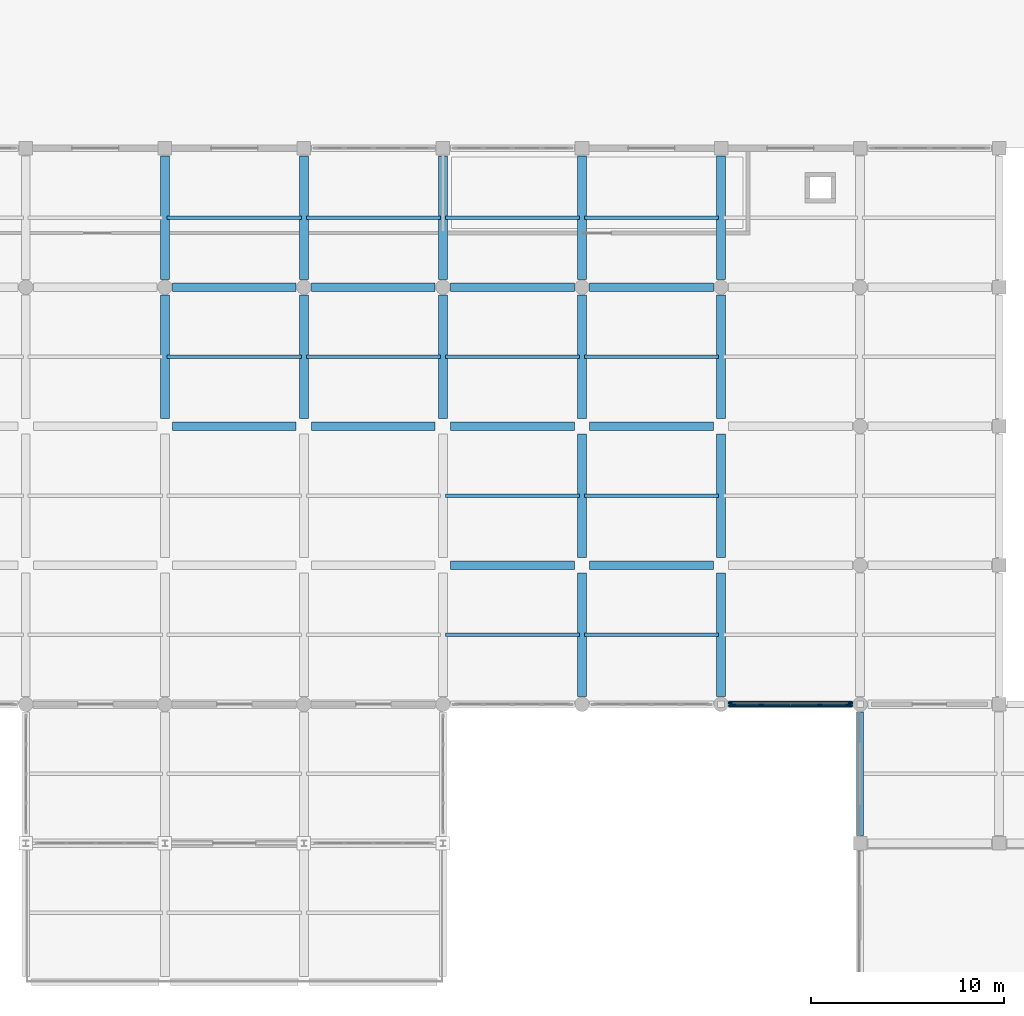
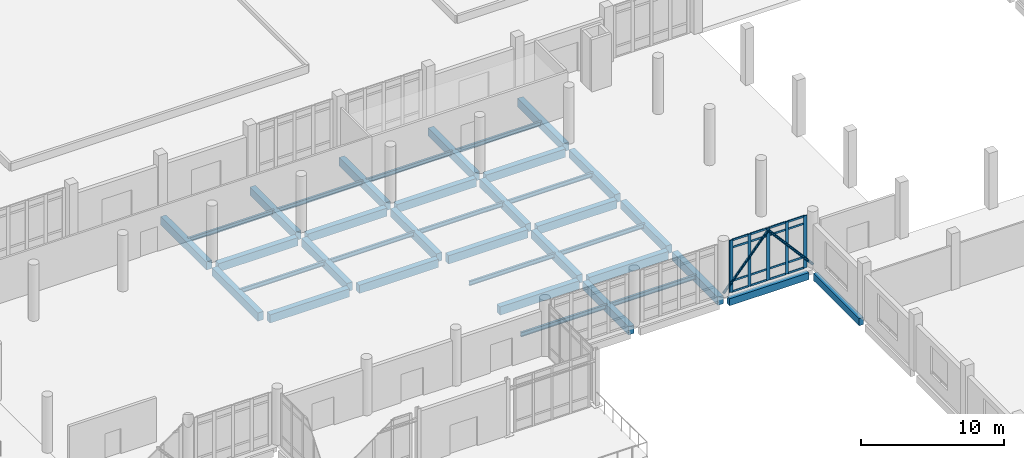
# One storey, part 18 of 59: 38 beams, 23 members, 1 element without a shape of its own.
"""IFC4 building model written with IfcOpenShell, lengths in metres."""

from ifc_helpers import new_model, si_unit, direction, frame, origin, origin_2d, place, context, subcontext, project, spatial, rectangle, hollow_circle, i_section, extrude, material, layer, layer_set, material_profile, profile_set, type_object, element, aggregate, save


model = new_model("IFC4")

# Units and contexts
model_context = context("Model", 3, precision=1e-05, world=origin(), true_north=direction((0.0, 1.0)))
body_context = subcontext(model_context, "Body", "Model", "MODEL_VIEW")
ifc_project = project(units=[si_unit("LENGTHUNIT", "METRE"), si_unit("AREAUNIT", "SQUARE_METRE"), si_unit("VOLUMEUNIT", "CUBIC_METRE"), si_unit("PLANEANGLEUNIT", "RADIAN"), si_unit("MASSUNIT", "GRAM", prefix="KILO")], contexts=[model_context])

# Site, building, storey
site_placement = place(None, origin())
site = spatial("IfcSite", under=ifc_project, at=site_placement, CompositionType="ELEMENT")
building_placement = place(site_placement, origin())
building = spatial("IfcBuilding", under=site, at=building_placement, Name="Valkovuoma Quantum and Materials Research Institute", CompositionType="ELEMENT")
storey_placement = place(building_placement, origin())
storey = spatial("IfcBuildingStorey", under=building, at=storey_placement, Name="L00", CompositionType="ELEMENT", Elevation=0.0)

# Beams
ifc_material_1 = material(Name="Steel S355J2", Category="steel")
ifc_material_profile_1 = material_profile(ifc_material_1, i_section(OverallWidth=0.169921875, OverallDepth=0.360107421875, WebThickness=0.008056640625, FlangeThickness=0.0126953125, FilletRadius=0.01806640625, at=origin_2d()), Name="Steel S355J2")
ifc_profile_set_1 = profile_set([ifc_material_profile_1], Name="Steel S355J2")
beam_type_1 = type_object("IfcBeamType", Name="Beam-B-JST360", PredefinedType="JOIST", material=ifc_profile_set_1)
for number, where, z_axis, x_axis, name in (
    (1, (79.320068359375, 39.60009765625, -0.580078125), (1.0, 0.0, 0.0), (0.0, 1.0, 0.0), "L00 floor joist 0427"),
    (2, (86.52001953125, 39.60009765625, -0.580078125), (1.0, 0.0, 0.0), (0.0, 1.0, 0.0), "L00 floor joist 0428"),
    (3, (79.320068359375, 46.800048828125, -0.580078125), (1.0, 0.0, 0.0), (0.0, 1.0, 0.0), "L00 floor joist 0444"),
    (4, (86.52001953125, 46.800048828125, -0.580078125), (1.0, 0.0, 0.0), (0.0, 1.0, 0.0), "L00 floor joist 0445"),
    (5, (64.919921875, 54.0, -0.580078125), (1.0, 0.0, 0.0), (0.0, 1.0, 0.0), "L00 floor joist 0459"),
    (6, (72.1201171875, 54.0, -0.580078125), (1.0, 0.0, 0.0), (0.0, 1.0, 0.0), "L00 floor joist 0460"),
    (7, (79.320068359375, 54.0, -0.580078125), (1.0, 0.0, 0.0), (0.0, 1.0, 0.0), "L00 floor joist 0461"),
    (8, (86.52001953125, 54.0, -0.580078125), (1.0, 0.0, 0.0), (0.0, 1.0, 0.0), "L00 floor joist 0462"),
    (9, (64.919921875, 61.199951171875, -0.580078125), (1.0, 0.0, 0.0), (0.0, 1.0, 0.0), "L00 floor joist 0478"),
    (10, (72.1201171875, 61.199951171875, -0.580078125), (1.0, 0.0, 0.0), (0.0, 1.0, 0.0), "L00 floor joist 0479"),
    (11, (79.320068359375, 61.199951171875, -0.580078125), (1.0, 0.0, 0.0), (0.0, 1.0, 0.0), "L00 floor joist 0480"),
    (12, (86.52001953125, 61.199951171875, -0.580078125), (1.0, 0.0, 0.0), (0.0, 1.0, 0.0), "L00 floor joist 0481"),
):
    element("IfcBeam", number, at=place(storey_placement, frame(where, z_axis=z_axis, x_axis=x_axis)), inside=storey, type_object=beam_type_1, Name=name, PredefinedType="JOIST", context=body_context, shape_type="SweptSolid", body=[
        extrude(i_section(OverallWidth=0.169921875, OverallDepth=0.360107421875, WebThickness=0.008056640625, FlangeThickness=0.0126953125, FilletRadius=0.01806640625, at=origin_2d()), origin(), (0.0, 0.0, 1.0), 6.9599609375),
    ])
ifc_material_2 = material(Name="Concrete C40/50", Category="concrete")
ifc_material_profile_2 = material_profile(ifc_material_2, rectangle(XDim=0.449951171875, YDim=0.699951171875, at=origin_2d()), Name="Concrete C40/50")
ifc_profile_set_2 = profile_set([ifc_material_profile_2], Name="Concrete C40/50")
beam_type_2 = type_object("IfcBeamType", Name="Beam-B-RC700", PredefinedType="BEAM", material=ifc_profile_set_2)
for number, where, z_axis, x_axis, name in (
    (13, (79.60009765625, 43.199951171875, -0.75), (1.0, 0.0, 0.0), (0.0, 1.0, 0.0), "L00 beam X-0065"),
    (14, (86.800048828125, 43.199951171875, -0.75), (1.0, 0.0, 0.0), (0.0, 1.0, 0.0), "L00 beam X-0066"),
):
    element("IfcBeam", number, at=place(storey_placement, frame(where, z_axis=z_axis, x_axis=x_axis)), inside=storey, type_object=beam_type_2, Name=name, PredefinedType="BEAM", context=body_context, shape_type="SweptSolid", body=[
        extrude(rectangle(XDim=0.449951171875, YDim=0.699951171875, at=origin_2d()), origin(), (0.0, 0.0, 1.0), 6.39990234375),
    ])
for number, where, z_axis, x_axis, name in (
    (15, (65.199951171875, 50.39990234375, -0.75), (1.0, 0.0, 0.0), (0.0, 1.0, 0.0), "L00 beam X-0081"),
    (16, (72.39990234375, 50.39990234375, -0.75), (1.0, 0.0, 0.0), (0.0, 1.0, 0.0), "L00 beam X-0082"),
):
    element("IfcBeam", number, at=place(storey_placement, frame(where, z_axis=z_axis, x_axis=x_axis)), inside=storey, type_object=beam_type_2, Name=name, PredefinedType="BEAM", context=body_context, shape_type="SweptSolid", body=[
        extrude(rectangle(XDim=0.449951171875, YDim=0.699951171875, at=origin_2d()), origin(), (0.0, 0.0, 1.0), 6.400146484375),
    ])
for number, where, z_axis, x_axis, name in (
    (17, (79.60009765625, 50.39990234375, -0.75), (1.0, 0.0, 0.0), (0.0, 1.0, 0.0), "L00 beam X-0083"),
    (18, (86.800048828125, 50.39990234375, -0.75), (1.0, 0.0, 0.0), (0.0, 1.0, 0.0), "L00 beam X-0084"),
):
    element("IfcBeam", number, at=place(storey_placement, frame(where, z_axis=z_axis, x_axis=x_axis)), inside=storey, type_object=beam_type_2, Name=name, PredefinedType="BEAM", context=body_context, shape_type="SweptSolid", body=[
        extrude(rectangle(XDim=0.449951171875, YDim=0.699951171875, at=origin_2d()), origin(), (0.0, 0.0, 1.0), 6.39990234375),
    ])
for number, where, z_axis, x_axis, name in (
    (19, (65.199951171875, 57.60009765625, -0.75), (1.0, 0.0, 0.0), (0.0, 1.0, 0.0), "L00 beam X-0101"),
    (20, (72.39990234375, 57.60009765625, -0.75), (1.0, 0.0, 0.0), (0.0, 1.0, 0.0), "L00 beam X-0102"),
):
    element("IfcBeam", number, at=place(storey_placement, frame(where, z_axis=z_axis, x_axis=x_axis)), inside=storey, type_object=beam_type_2, Name=name, PredefinedType="BEAM", context=body_context, shape_type="SweptSolid", body=[
        extrude(rectangle(XDim=0.449951171875, YDim=0.699951171875, at=origin_2d()), origin(), (0.0, 0.0, 1.0), 6.400146484375),
    ])
for number, where, z_axis, x_axis, name in (
    (21, (79.60009765625, 57.60009765625, -0.75), (1.0, 0.0, 0.0), (0.0, 1.0, 0.0), "L00 beam X-0103"),
    (22, (86.800048828125, 57.60009765625, -0.75), (1.0, 0.0, 0.0), (0.0, 1.0, 0.0), "L00 beam X-0104"),
    (23, (64.800048828125, 50.800048828125, -0.75), (0.0, 1.0, 0.0), (-1.0, 0.0, 0.0), "L00 beam Y-0272"),
    (24, (64.800048828125, 58.0, -0.75), (0.0, 1.0, 0.0), (-1.0, 0.0, 0.0), "L00 beam Y-0273"),
    (25, (72.0, 50.800048828125, -0.75), (0.0, 1.0, 0.0), (-1.0, 0.0, 0.0), "L00 beam Y-0278"),
    (26, (72.0, 58.0, -0.75), (0.0, 1.0, 0.0), (-1.0, 0.0, 0.0), "L00 beam Y-0279"),
    (27, (79.199951171875, 50.800048828125, -0.75), (0.0, 1.0, 0.0), (-1.0, 0.0, 0.0), "L00 beam Y-0284"),
    (28, (79.199951171875, 58.0, -0.75), (0.0, 1.0, 0.0), (-1.0, 0.0, 0.0), "L00 beam Y-0285"),
):
    element("IfcBeam", number, at=place(storey_placement, frame(where, z_axis=z_axis, x_axis=x_axis)), inside=storey, type_object=beam_type_2, Name=name, PredefinedType="BEAM", context=body_context, shape_type="SweptSolid", body=[
        extrude(rectangle(XDim=0.449951171875, YDim=0.699951171875, at=origin_2d()), origin(), (0.0, 0.0, 1.0), 6.39990234375),
    ])
beam_1_placement = place(storey_placement, frame((86.39990234375, 36.39990234375, -0.75), z_axis=(0.0, 1.0, 0.0), x_axis=(-1.0, 0.0, 0.0)))
element("IfcBeam", 29, at=beam_1_placement, inside=storey, type_object=beam_type_2, Name="L00 beam Y-0286", PredefinedType="BEAM", context=body_context, shape_type="SweptSolid", body=[
    extrude(rectangle(XDim=0.449951171875, YDim=0.699951171875, at=origin_2d()), origin(), (0.0, 0.0, 1.0), 6.400146484375),
])
for number, where, z_axis, x_axis, name in (
    (30, (86.39990234375, 43.60009765625, -0.75), (0.0, 1.0, 0.0), (-1.0, 0.0, 0.0), "L00 beam Y-0287"),
    (31, (86.39990234375, 50.800048828125, -0.75), (0.0, 1.0, 0.0), (-1.0, 0.0, 0.0), "L00 beam Y-0288"),
    (32, (86.39990234375, 58.0, -0.75), (0.0, 1.0, 0.0), (-1.0, 0.0, 0.0), "L00 beam Y-0289"),
):
    element("IfcBeam", number, at=place(storey_placement, frame(where, z_axis=z_axis, x_axis=x_axis)), inside=storey, type_object=beam_type_2, Name=name, PredefinedType="BEAM", context=body_context, shape_type="SweptSolid", body=[
        extrude(rectangle(XDim=0.449951171875, YDim=0.699951171875, at=origin_2d()), origin(), (0.0, 0.0, 1.0), 6.39990234375),
    ])
beam_2_placement = place(storey_placement, frame((93.60009765625, 36.39990234375, -0.75), z_axis=(0.0, 1.0, 0.0), x_axis=(-1.0, 0.0, 0.0)))
element("IfcBeam", 33, at=beam_2_placement, inside=storey, type_object=beam_type_2, Name="L00 beam Y-0290", PredefinedType="BEAM", context=body_context, shape_type="SweptSolid", body=[
    extrude(rectangle(XDim=0.449951171875, YDim=0.699951171875, at=origin_2d()), origin(), (0.0, 0.0, 1.0), 6.400146484375),
])
for number, where, z_axis, x_axis, name in (
    (34, (93.60009765625, 43.60009765625, -0.75), (0.0, 1.0, 0.0), (-1.0, 0.0, 0.0), "L00 beam Y-0291"),
    (35, (93.60009765625, 50.800048828125, -0.75), (0.0, 1.0, 0.0), (-1.0, 0.0, 0.0), "L00 beam Y-0292"),
    (36, (93.60009765625, 58.0, -0.75), (0.0, 1.0, 0.0), (-1.0, 0.0, 0.0), "L00 beam Y-0293"),
):
    element("IfcBeam", number, at=place(storey_placement, frame(where, z_axis=z_axis, x_axis=x_axis)), inside=storey, type_object=beam_type_2, Name=name, PredefinedType="BEAM", context=body_context, shape_type="SweptSolid", body=[
        extrude(rectangle(XDim=0.449951171875, YDim=0.699951171875, at=origin_2d()), origin(), (0.0, 0.0, 1.0), 6.39990234375),
    ])
ifc_material_3 = material(Name="Concrete C40/50", Category="concrete")
ifc_material_profile_3 = material_profile(ifc_material_3, rectangle(XDim=0.35009765625, YDim=0.60009765625, at=origin_2d()), Name="Concrete C40/50")
ifc_profile_set_3 = profile_set([ifc_material_profile_3], Name="Concrete C40/50")
beam_type_3 = type_object("IfcBeamType", Name="Beam-B-SPN600", PredefinedType="SPANDREL", material=ifc_profile_set_3)
beam_3_placement = place(storey_placement, frame((94.0, 36.0, -0.699951171875), z_axis=(1.0, 0.0, 0.0), x_axis=(0.0, 1.0, 0.0)))
element("IfcBeam", 37, at=beam_3_placement, inside=storey, type_object=beam_type_3, Name="L00 beam X-0044", PredefinedType="SPANDREL", context=body_context, shape_type="SweptSolid", body=[
    extrude(rectangle(XDim=0.35009765625, YDim=0.60009765625, at=origin_2d()), origin(), (0.0, 0.0, 1.0), 6.39990234375),
])
beam_4_placement = place(storey_placement, frame((100.800048828125, 29.199951171875, -0.699951171875), z_axis=(0.0, 1.0, 0.0), x_axis=(-1.0, 0.0, 0.0)))
element("IfcBeam", 38, at=beam_4_placement, inside=storey, type_object=beam_type_3, Name="L00 beam Y-0297", PredefinedType="SPANDREL", context=body_context, shape_type="SweptSolid", body=[
    extrude(rectangle(XDim=0.35009765625, YDim=0.60009765625, at=origin_2d()), origin(), (0.0, 0.0, 1.0), 6.400146484375),
])

# Curtain wall, members
ifc_material_4 = material(Name="Thermally broken aluminium and triple low-E glazing", Category="aluminium")
ifc_layer = layer(ifc_material_4, 0.219970703125)
ifc_layer_set = layer_set([ifc_layer], Name="Thermally broken aluminium and triple low-E glazing")
curtain_wall_type = type_object("IfcCurtainWallType", Name="CW-CW-02", PredefinedType="NOTDEFINED", material=ifc_layer_set)
curtain_wall_placement = place(storey_placement, origin())
curtain_wall = element("IfcCurtainWall", 39, at=curtain_wall_placement, inside=storey, type_object=curtain_wall_type, Name="L00 curtain wall 154", PredefinedType="NOTDEFINED")
ifc_material_5 = material(Name="Anodised aluminium 6060-T66", Category="aluminium")
ifc_material_profile_4 = material_profile(ifc_material_5, rectangle(XDim=0.080078125, YDim=0.260009765625, at=origin_2d()), Name="Anodised aluminium 6060-T66")
ifc_profile_set_4 = profile_set([ifc_material_profile_4], Name="Anodised aluminium 6060-T66")
member_type_1 = type_object("IfcMemberType", Name="CWMull-CWM-03", PredefinedType="MULLION", material=ifc_profile_set_4)
member_1_placement = place(storey_placement, frame((94.219970703125, 36.0, 0.0), z_axis=(0.0, 0.0, 1.0), x_axis=(0.0, 1.0, 0.0)))
member_1 = element("IfcMember", 40, at=member_1_placement, type_object=member_type_1, Name="CW-02 mullion 1", PredefinedType="MULLION", context=body_context, shape_type="SweptSolid", body=[
    extrude(rectangle(XDim=0.080078125, YDim=0.260009765625, at=origin_2d()), origin(), (0.0, 0.0, 1.0), 4.449951171875),
])
member_2_placement = place(storey_placement, frame((95.68994140625, 36.0, 0.0), z_axis=(0.0, 0.0, 1.0), x_axis=(0.0, 1.0, 0.0)))
member_2 = element("IfcMember", 41, at=member_2_placement, type_object=member_type_1, Name="CW-02 mullion 2", PredefinedType="MULLION", context=body_context, shape_type="SweptSolid", body=[
    extrude(rectangle(XDim=0.080078125, YDim=0.260009765625, at=origin_2d()), origin(), (0.0, 0.0, 1.0), 4.449951171875),
])
member_3_placement = place(storey_placement, frame((97.199951171875, 36.0, 0.0), z_axis=(0.0, 0.0, 1.0), x_axis=(0.0, 1.0, 0.0)))
member_3 = element("IfcMember", 42, at=member_3_placement, type_object=member_type_1, Name="CW-02 mullion 3", PredefinedType="MULLION", context=body_context, shape_type="SweptSolid", body=[
    extrude(rectangle(XDim=0.080078125, YDim=0.260009765625, at=origin_2d()), origin(), (0.0, 0.0, 1.0), 4.449951171875),
])
member_4_placement = place(storey_placement, frame((98.7099609375, 36.0, 0.0), z_axis=(0.0, 0.0, 1.0), x_axis=(0.0, 1.0, 0.0)))
member_4 = element("IfcMember", 43, at=member_4_placement, type_object=member_type_1, Name="CW-02 mullion 4", PredefinedType="MULLION", context=body_context, shape_type="SweptSolid", body=[
    extrude(rectangle(XDim=0.080078125, YDim=0.260009765625, at=origin_2d()), origin(), (0.0, 0.0, 1.0), 4.449951171875),
])
member_5_placement = place(storey_placement, frame((100.179931640625, 36.0, 0.0), z_axis=(0.0, 0.0, 1.0), x_axis=(0.0, 1.0, 0.0)))
member_5 = element("IfcMember", 44, at=member_5_placement, type_object=member_type_1, Name="CW-02 mullion 5", PredefinedType="MULLION", context=body_context, shape_type="SweptSolid", body=[
    extrude(rectangle(XDim=0.080078125, YDim=0.260009765625, at=origin_2d()), origin(), (0.0, 0.0, 1.0), 4.449951171875),
])
ifc_material_6 = material(Name="Anodised aluminium 6060-T66", Category="aluminium")
ifc_material_profile_5 = material_profile(ifc_material_6, rectangle(XDim=0.074951171875, YDim=0.159912109375, at=origin_2d()), Name="Anodised aluminium 6060-T66")
ifc_profile_set_5 = profile_set([ifc_material_profile_5], Name="Anodised aluminium 6060-T66")
member_type_2 = type_object("IfcMemberType", Name="CWTran-CWT-02", PredefinedType="USERDEFINED", material=ifc_profile_set_5)
member_6_placement = place(storey_placement, frame((94.260009765625, 36.0, 0.03759765625), z_axis=(1.0, 0.0, 0.0), x_axis=(0.0, 1.0, 0.0)))
member_6 = element("IfcMember", 45, at=member_6_placement, type_object=member_type_2, Name="CW-02 transom 1.1", ObjectType="TRANSOM", PredefinedType="USERDEFINED", context=body_context, shape_type="SweptSolid", body=[
    extrude(rectangle(XDim=0.074951171875, YDim=0.159912109375, at=origin_2d()), origin(), (0.0, 0.0, 1.0), 1.389892578125),
])
member_7_placement = place(storey_placement, frame((94.260009765625, 36.0, 0.949951171875), z_axis=(1.0, 0.0, 0.0), x_axis=(0.0, 1.0, 0.0)))
member_7 = element("IfcMember", 46, at=member_7_placement, type_object=member_type_2, Name="CW-02 transom 1.2", ObjectType="TRANSOM", PredefinedType="USERDEFINED", context=body_context, shape_type="SweptSolid", body=[
    extrude(rectangle(XDim=0.074951171875, YDim=0.159912109375, at=origin_2d()), origin(), (0.0, 0.0, 1.0), 1.389892578125),
])
member_8_placement = place(storey_placement, frame((94.260009765625, 36.0, 3.800048828125), z_axis=(1.0, 0.0, 0.0), x_axis=(0.0, 1.0, 0.0)))
member_8 = element("IfcMember", 47, at=member_8_placement, type_object=member_type_2, Name="CW-02 transom 1.3", ObjectType="TRANSOM", PredefinedType="USERDEFINED", context=body_context, shape_type="SweptSolid", body=[
    extrude(rectangle(XDim=0.074951171875, YDim=0.159912109375, at=origin_2d()), origin(), (0.0, 0.0, 1.0), 1.389892578125),
])
member_9_placement = place(storey_placement, frame((94.260009765625, 36.0, 4.41259765625), z_axis=(1.0, 0.0, 0.0), x_axis=(0.0, 1.0, 0.0)))
member_9 = element("IfcMember", 48, at=member_9_placement, type_object=member_type_2, Name="CW-02 transom 1.4", ObjectType="TRANSOM", PredefinedType="USERDEFINED", context=body_context, shape_type="SweptSolid", body=[
    extrude(rectangle(XDim=0.074951171875, YDim=0.159912109375, at=origin_2d()), origin(), (0.0, 0.0, 1.0), 1.389892578125),
])
member_10_placement = place(storey_placement, frame((95.72998046875, 36.0, 0.03759765625), z_axis=(1.0, 0.0, 0.0), x_axis=(0.0, 1.0, 0.0)))
member_10 = element("IfcMember", 49, at=member_10_placement, type_object=member_type_2, Name="CW-02 transom 2.1", ObjectType="TRANSOM", PredefinedType="USERDEFINED", context=body_context, shape_type="SweptSolid", body=[
    extrude(rectangle(XDim=0.074951171875, YDim=0.159912109375, at=origin_2d()), origin(), (0.0, 0.0, 1.0), 1.429931640625),
])
member_11_placement = place(storey_placement, frame((95.72998046875, 36.0, 0.949951171875), z_axis=(1.0, 0.0, 0.0), x_axis=(0.0, 1.0, 0.0)))
member_11 = element("IfcMember", 50, at=member_11_placement, type_object=member_type_2, Name="CW-02 transom 2.2", ObjectType="TRANSOM", PredefinedType="USERDEFINED", context=body_context, shape_type="SweptSolid", body=[
    extrude(rectangle(XDim=0.074951171875, YDim=0.159912109375, at=origin_2d()), origin(), (0.0, 0.0, 1.0), 1.429931640625),
])
member_12_placement = place(storey_placement, frame((95.72998046875, 36.0, 3.800048828125), z_axis=(1.0, 0.0, 0.0), x_axis=(0.0, 1.0, 0.0)))
member_12 = element("IfcMember", 51, at=member_12_placement, type_object=member_type_2, Name="CW-02 transom 2.3", ObjectType="TRANSOM", PredefinedType="USERDEFINED", context=body_context, shape_type="SweptSolid", body=[
    extrude(rectangle(XDim=0.074951171875, YDim=0.159912109375, at=origin_2d()), origin(), (0.0, 0.0, 1.0), 1.429931640625),
])
member_13_placement = place(storey_placement, frame((95.72998046875, 36.0, 4.41259765625), z_axis=(1.0, 0.0, 0.0), x_axis=(0.0, 1.0, 0.0)))
member_13 = element("IfcMember", 52, at=member_13_placement, type_object=member_type_2, Name="CW-02 transom 2.4", ObjectType="TRANSOM", PredefinedType="USERDEFINED", context=body_context, shape_type="SweptSolid", body=[
    extrude(rectangle(XDim=0.074951171875, YDim=0.159912109375, at=origin_2d()), origin(), (0.0, 0.0, 1.0), 1.429931640625),
])
member_14_placement = place(storey_placement, frame((97.239990234375, 36.0, 0.03759765625), z_axis=(1.0, 0.0, 0.0), x_axis=(0.0, 1.0, 0.0)))
member_14 = element("IfcMember", 53, at=member_14_placement, type_object=member_type_2, Name="CW-02 transom 3.1", ObjectType="TRANSOM", PredefinedType="USERDEFINED", context=body_context, shape_type="SweptSolid", body=[
    extrude(rectangle(XDim=0.074951171875, YDim=0.159912109375, at=origin_2d()), origin(), (0.0, 0.0, 1.0), 1.429931640625),
])
member_15_placement = place(storey_placement, frame((97.239990234375, 36.0, 0.949951171875), z_axis=(1.0, 0.0, 0.0), x_axis=(0.0, 1.0, 0.0)))
member_15 = element("IfcMember", 54, at=member_15_placement, type_object=member_type_2, Name="CW-02 transom 3.2", ObjectType="TRANSOM", PredefinedType="USERDEFINED", context=body_context, shape_type="SweptSolid", body=[
    extrude(rectangle(XDim=0.074951171875, YDim=0.159912109375, at=origin_2d()), origin(), (0.0, 0.0, 1.0), 1.429931640625),
])
member_16_placement = place(storey_placement, frame((97.239990234375, 36.0, 3.800048828125), z_axis=(1.0, 0.0, 0.0), x_axis=(0.0, 1.0, 0.0)))
member_16 = element("IfcMember", 55, at=member_16_placement, type_object=member_type_2, Name="CW-02 transom 3.3", ObjectType="TRANSOM", PredefinedType="USERDEFINED", context=body_context, shape_type="SweptSolid", body=[
    extrude(rectangle(XDim=0.074951171875, YDim=0.159912109375, at=origin_2d()), origin(), (0.0, 0.0, 1.0), 1.429931640625),
])
member_17_placement = place(storey_placement, frame((97.239990234375, 36.0, 4.41259765625), z_axis=(1.0, 0.0, 0.0), x_axis=(0.0, 1.0, 0.0)))
member_17 = element("IfcMember", 56, at=member_17_placement, type_object=member_type_2, Name="CW-02 transom 3.4", ObjectType="TRANSOM", PredefinedType="USERDEFINED", context=body_context, shape_type="SweptSolid", body=[
    extrude(rectangle(XDim=0.074951171875, YDim=0.159912109375, at=origin_2d()), origin(), (0.0, 0.0, 1.0), 1.429931640625),
])
member_18_placement = place(storey_placement, frame((98.75, 36.0, 0.03759765625), z_axis=(1.0, 0.0, 0.0), x_axis=(0.0, 1.0, 0.0)))
member_18 = element("IfcMember", 57, at=member_18_placement, type_object=member_type_2, Name="CW-02 transom 4.1", ObjectType="TRANSOM", PredefinedType="USERDEFINED", context=body_context, shape_type="SweptSolid", body=[
    extrude(rectangle(XDim=0.074951171875, YDim=0.159912109375, at=origin_2d()), origin(), (0.0, 0.0, 1.0), 1.389892578125),
])
member_19_placement = place(storey_placement, frame((98.75, 36.0, 0.949951171875), z_axis=(1.0, 0.0, 0.0), x_axis=(0.0, 1.0, 0.0)))
member_19 = element("IfcMember", 58, at=member_19_placement, type_object=member_type_2, Name="CW-02 transom 4.2", ObjectType="TRANSOM", PredefinedType="USERDEFINED", context=body_context, shape_type="SweptSolid", body=[
    extrude(rectangle(XDim=0.074951171875, YDim=0.159912109375, at=origin_2d()), origin(), (0.0, 0.0, 1.0), 1.389892578125),
])
member_20_placement = place(storey_placement, frame((98.75, 36.0, 3.800048828125), z_axis=(1.0, 0.0, 0.0), x_axis=(0.0, 1.0, 0.0)))
member_20 = element("IfcMember", 59, at=member_20_placement, type_object=member_type_2, Name="CW-02 transom 4.3", ObjectType="TRANSOM", PredefinedType="USERDEFINED", context=body_context, shape_type="SweptSolid", body=[
    extrude(rectangle(XDim=0.074951171875, YDim=0.159912109375, at=origin_2d()), origin(), (0.0, 0.0, 1.0), 1.389892578125),
])
member_21_placement = place(storey_placement, frame((98.75, 36.0, 4.41259765625), z_axis=(1.0, 0.0, 0.0), x_axis=(0.0, 1.0, 0.0)))
member_21 = element("IfcMember", 60, at=member_21_placement, type_object=member_type_2, Name="CW-02 transom 4.4", ObjectType="TRANSOM", PredefinedType="USERDEFINED", context=body_context, shape_type="SweptSolid", body=[
    extrude(rectangle(XDim=0.074951171875, YDim=0.159912109375, at=origin_2d()), origin(), (0.0, 0.0, 1.0), 1.389892578125),
])
aggregate(curtain_wall, [member_1, member_2, member_3, member_4, member_5, member_6, member_7, member_8, member_9, member_10, member_11, member_12, member_13, member_14, member_15, member_16, member_17, member_18, member_19, member_20, member_21])

# Members
ifc_material_7 = material(Name="Steel S355J2H", Category="steel")
ifc_material_profile_6 = material_profile(ifc_material_7, hollow_circle(Radius=0.109619140625, WallThickness=0.010009765625, at=origin_2d()), Name="Steel S355J2H")
ifc_profile_set_6 = profile_set([ifc_material_profile_6], Name="Steel S355J2H")
member_type_3 = type_object("IfcMemberType", Name="Mem-M-BRC219", PredefinedType="BRACE", material=ifc_profile_set_6)
member_22_placement = place(storey_placement, frame((93.60009765625, 36.0, 0.10009765625), z_axis=(0.655270541038, 0.0, 0.755394279862), x_axis=(0.0, 1.0, 0.0)))
element("IfcMember", 61, at=member_22_placement, inside=storey, type_object=member_type_3, Name="L00 chevron wind brace 05A", PredefinedType="BRACE", context=body_context, shape_type="SweptSolid", body=[
    extrude(hollow_circle(Radius=0.109619140625, WallThickness=0.010009765625, at=origin_2d()), origin(), (0.0, 0.0, 1.0), 5.49365234375),
])
member_23_placement = place(storey_placement, frame((100.800048828125, 36.0, 0.10009765625), z_axis=(-0.655295898412, 0.0, 0.755372282735), x_axis=(0.0, -1.0, 0.0)))
element("IfcMember", 62, at=member_23_placement, inside=storey, type_object=member_type_3, Name="L00 chevron wind brace 05B", PredefinedType="BRACE", context=body_context, shape_type="SweptSolid", body=[
    extrude(hollow_circle(Radius=0.109619140625, WallThickness=0.010009765625, at=origin_2d()), origin(), (0.0, 0.0, 1.0), 5.493896484375),
])

save(model, "model.ifc")
